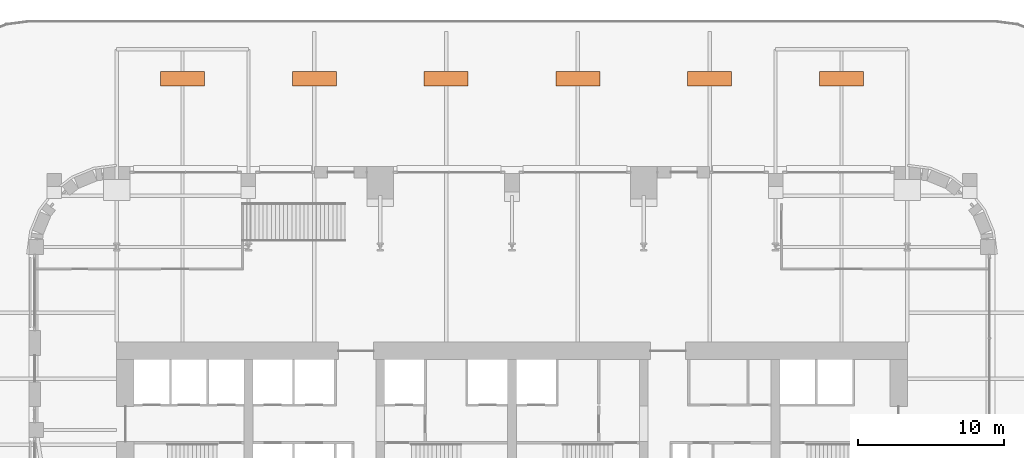
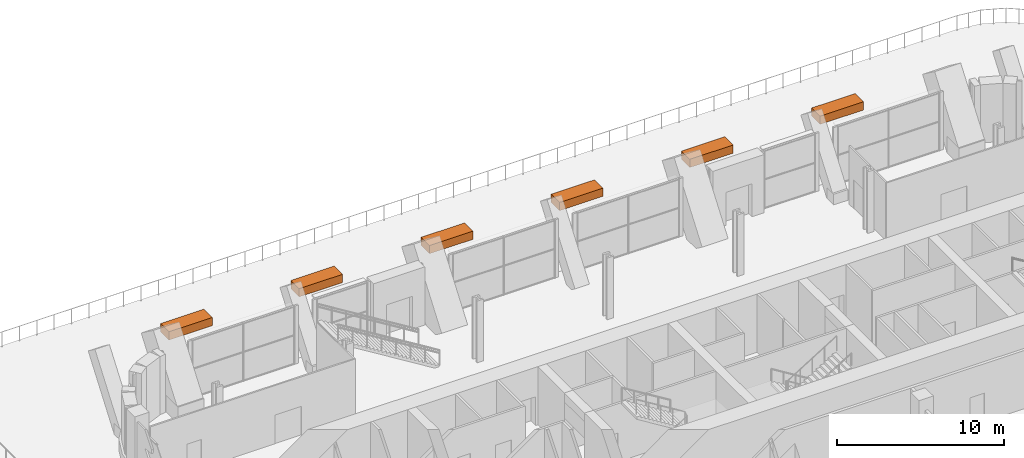
# One storey, part 26 of 26: 6 proxies.
"""IFC4 building model written with IfcOpenShell, lengths in metres."""

from ifc_helpers import new_model, si_unit, direction, frame, origin, origin_2d, place, context, subcontext, project, spatial, rectangle, extrude, material, type_object, element, save


model = new_model("IFC4")

# Units and contexts
model_context = context("Model", 3, precision=1e-05, world=origin(), true_north=direction((0.0, 1.0)))
body_context = subcontext(model_context, "Body", "Model", "MODEL_VIEW")
ifc_project = project(units=[si_unit("LENGTHUNIT", "METRE"), si_unit("AREAUNIT", "SQUARE_METRE"), si_unit("VOLUMEUNIT", "CUBIC_METRE"), si_unit("PLANEANGLEUNIT", "RADIAN"), si_unit("MASSUNIT", "GRAM", prefix="KILO")], contexts=[model_context])

# Site, building, storey
site_placement = place(None, origin())
site = spatial("IfcSite", under=ifc_project, at=site_placement, CompositionType="ELEMENT")
building_placement = place(site_placement, origin())
building = spatial("IfcBuilding", under=site, at=building_placement, Name="Zellij Exchange Tower", CompositionType="ELEMENT")
storey_placement = place(building_placement, frame((0.0, 0.0, 39.0)))
storey = spatial("IfcBuildingStorey", under=building, at=storey_placement, Name="L06", CompositionType="ELEMENT", Elevation=39.0)

# Proxies
ifc_material = material(Name="Precast concrete C40/50", Category="concrete")
building_element_proxy_type = type_object("IfcBuildingElementProxyType", Name="ENV-PLN1 Planter 3000x1000x600", PredefinedType="USERDEFINED", material=ifc_material)
for number, where, z_axis, x_axis, name in (
    (1, (-22.5, 16.0, 0.0), (0.0, 0.0, 1.0), (1.0, 0.0, 0.0), "Planter"),
    (2, (-13.5, 16.0, 0.0), (0.0, 0.0, 1.0), (1.0, 0.0, 0.0), "Planter"),
    (3, (-4.5, 16.0, 0.0), (0.0, 0.0, 1.0), (1.0, 0.0, 0.0), "Planter"),
    (4, (4.5, 16.0, 0.0), (0.0, 0.0, 1.0), (1.0, 0.0, 0.0), "Planter"),
    (5, (13.5, 16.0, 0.0), (0.0, 0.0, 1.0), (1.0, 0.0, 0.0), "Planter"),
    (6, (22.5, 16.0, 0.0), (0.0, 0.0, 1.0), (1.0, 0.0, 0.0), "Planter"),
):
    element("IfcBuildingElementProxy", number, at=place(storey_placement, frame(where, z_axis=z_axis, x_axis=x_axis)), inside=storey, type_object=building_element_proxy_type, Name=name, ObjectType="PLANTER", PredefinedType="USERDEFINED", context=body_context, shape_type="SweptSolid", body=[
        extrude(rectangle(XDim=3.0, YDim=1.0, at=origin_2d()), origin(), (0.0, 0.0, 1.0), 0.60009765625),
    ])

save(model, "model.ifc")
